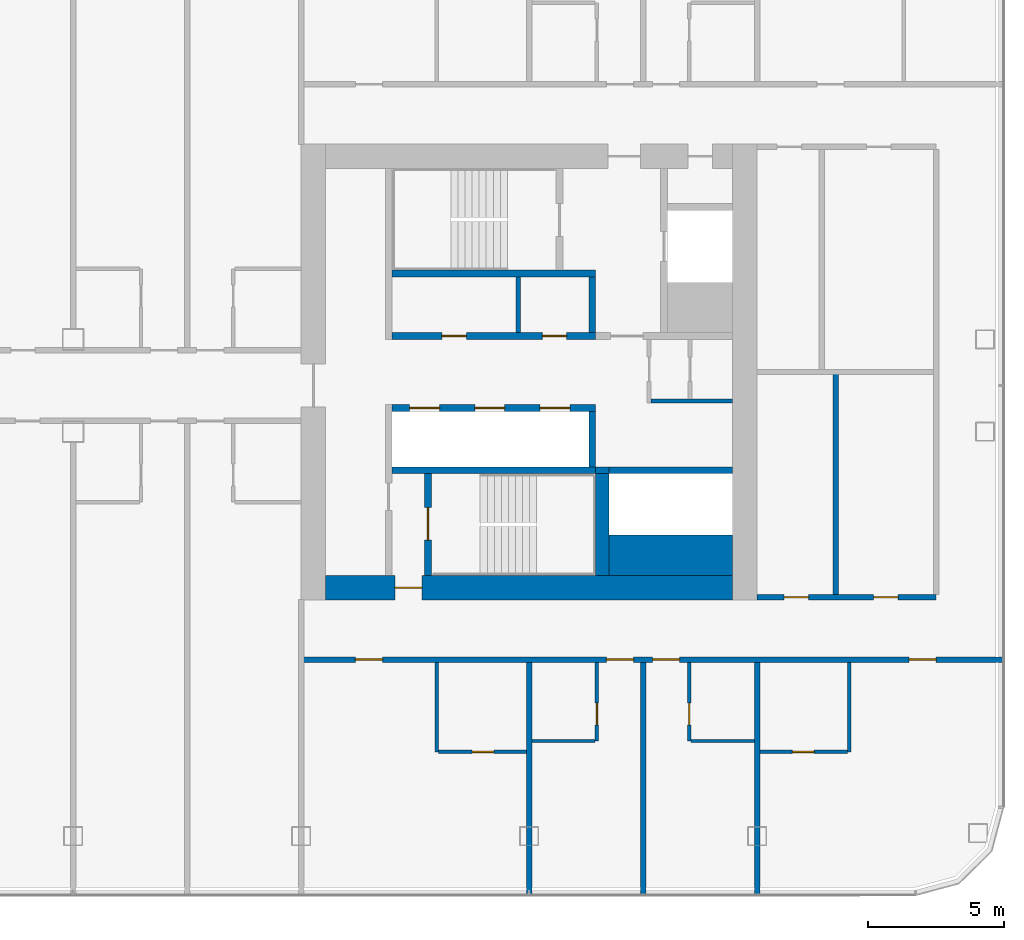
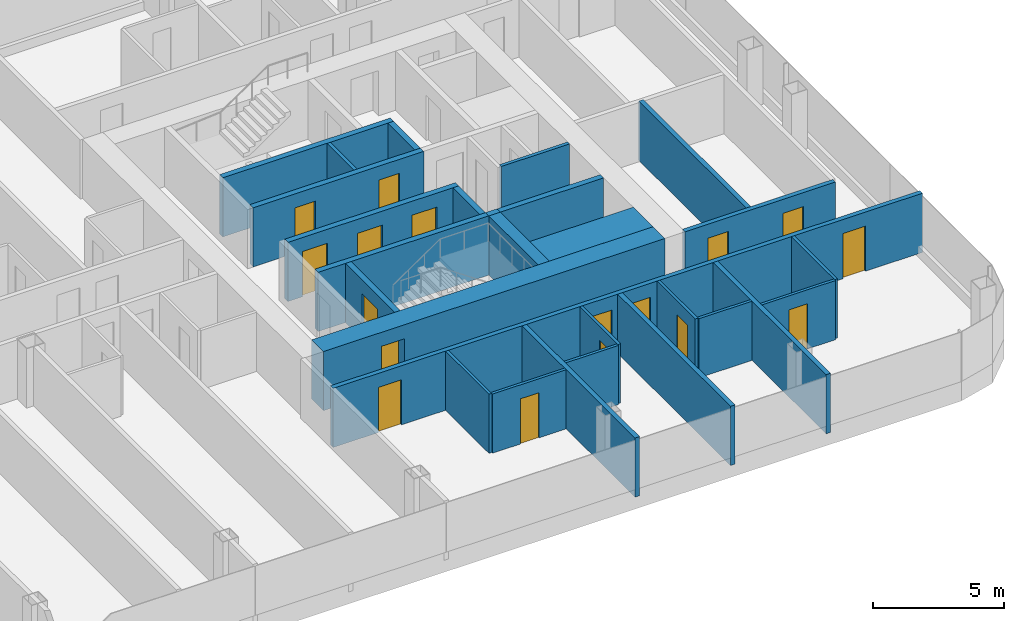
# One storey, part 16 of 26: 28 walls, 17 doors, 17 openings.
"""IFC4 building model written with IfcOpenShell, lengths in metres."""

from ifc_helpers import new_model, si_unit, direction, frame, frame_2d, origin, place, context, subcontext, project, spatial, rectangle, extrude, material, layer, layer_set, type_object, element, fill, save


model = new_model("IFC4")

# Units and contexts
model_context = context("Model", 3, precision=1e-05, world=origin(), true_north=direction((0.0, 1.0)))
body_context = subcontext(model_context, "Body", "Model", "MODEL_VIEW")
ifc_project = project(units=[si_unit("LENGTHUNIT", "METRE"), si_unit("AREAUNIT", "SQUARE_METRE"), si_unit("VOLUMEUNIT", "CUBIC_METRE"), si_unit("PLANEANGLEUNIT", "RADIAN"), si_unit("MASSUNIT", "GRAM", prefix="KILO")], contexts=[model_context])

# Site, building, storey
site_placement = place(None, origin())
site = spatial("IfcSite", under=ifc_project, at=site_placement, CompositionType="ELEMENT")
building_placement = place(site_placement, origin())
building = spatial("IfcBuilding", under=site, at=building_placement, Name="Hakoniwa Tower and Hamabe Station Hall", CompositionType="ELEMENT")
storey_placement = place(building_placement, frame((0.0, 0.0, 153.39990234375)))
storey = spatial("IfcBuildingStorey", under=building, at=storey_placement, Name="L43", CompositionType="ELEMENT", Elevation=153.39990234375)

# Wall, opening, door
ifc_material_1 = material(Name="Gypsum board partition", Category="gypsum")
ifc_layer_1 = layer(ifc_material_1, 0.125)
ifc_layer_set_1 = layer_set([ifc_layer_1], Name="Bathroom Partition 125")
wall_type_1 = type_object("IfcWallType", Name="Bathroom Partition 125", PredefinedType="PARTITIONING", material=ifc_layer_set_1)
wall_1_placement = place(storey_placement, frame((21.862548828125, -14.0, 0.0), z_axis=(0.0, 0.0, 1.0), x_axis=(1.0, 0.0, 0.0)))
wall_1 = element("IfcWall", 1, at=wall_1_placement, inside=storey, type_object=wall_type_1, Name="GW-L43-001", PredefinedType="PARTITIONING", context=body_context, shape_type="SweptSolid", body=[
    extrude(rectangle(XDim=3.237548828125, YDim=0.125, at=frame_2d((1.61865234375, 0.0))), origin(), (0.0, 0.0, 1.0), 2.75),
])
opening_1_placement = place(wall_1_placement, frame((1.237548828125, 0.0, 0.0)))
opening_1 = element("IfcOpeningElement", 2, at=opening_1_placement, cuts=wall_1, Name="Opening GD-G3C1-01", PredefinedType="OPENING", context=body_context, shape_type="SweptSolid", body=[
    extrude(rectangle(XDim=0.800048828125, YDim=2.10009765625, at=frame_2d((0.39990234375, 1.050048828125))), frame((0.0, 0.072509765625, 0.0), z_axis=(0.0, -1.0, 0.0), x_axis=(1.0, 0.0, 0.0)), (0.0, 0.0, 1.0), 0.14501953125),
])
ifc_material_2 = material(Name="Timber door leaf", Category="wood")
door_type_1 = type_object("IfcDoorType", Name="Bathroom Door 800", OperationType="SINGLE_SWING_LEFT", PredefinedType="DOOR", material=ifc_material_2)
door_1_placement = place(opening_1_placement, origin())
door_1 = element("IfcDoor", 3, at=door_1_placement, inside=storey, type_object=door_type_1, Name="Door GD-G3C1-01", OperationType="SINGLE_SWING_RIGHT", OverallHeight=2.10009765625, OverallWidth=0.800048828125, PredefinedType="DOOR", context=body_context, shape_type="SweptSolid", body=[
    extrude(rectangle(XDim=0.800048828125, YDim=2.10009765625, at=frame_2d((0.39990234375, 1.050048828125))), frame((0.0, 0.02490234375, 0.0), z_axis=(0.0, -1.0, 0.0), x_axis=(1.0, 0.0, 0.0)), (0.0, 0.0, 1.0), 0.050048828125),
])
fill(opening_1, door_1)

wall_2_placement = place(storey_placement, frame((33.699951171875, -14.0, 0.0), z_axis=(0.0, 0.0, 1.0), x_axis=(1.0, 0.0, 0.0)))
wall_2 = element("IfcWall", 4, at=wall_2_placement, inside=storey, type_object=wall_type_1, Name="GW-L43-002", PredefinedType="PARTITIONING", context=body_context, shape_type="SweptSolid", body=[
    extrude(rectangle(XDim=3.237548828125, YDim=0.125, at=frame_2d((1.61865234375, 0.0))), origin(), (0.0, 0.0, 1.0), 2.75),
])
opening_2_placement = place(wall_2_placement, frame((1.199951171875, 0.0, 0.0)))
opening_2 = element("IfcOpeningElement", 5, at=opening_2_placement, cuts=wall_2, Name="Opening GD-G3C1-02", PredefinedType="OPENING", context=body_context, shape_type="SweptSolid", body=[
    extrude(rectangle(XDim=0.800048828125, YDim=2.10009765625, at=frame_2d((0.39990234375, 1.050048828125))), frame((0.0, 0.072509765625, 0.0), z_axis=(0.0, -1.0, 0.0), x_axis=(1.0, 0.0, 0.0)), (0.0, 0.0, 1.0), 0.14501953125),
])
door_2_placement = place(opening_2_placement, origin())
door_2 = element("IfcDoor", 6, at=door_2_placement, inside=storey, type_object=door_type_1, Name="Door GD-G3C1-02", OperationType="SINGLE_SWING_LEFT", OverallHeight=2.10009765625, OverallWidth=0.800048828125, PredefinedType="DOOR", context=body_context, shape_type="SweptSolid", body=[
    extrude(rectangle(XDim=0.800048828125, YDim=2.10009765625, at=frame_2d((0.39990234375, 1.050048828125))), frame((0.0, 0.02490234375, 0.0), z_axis=(0.0, -1.0, 0.0), x_axis=(1.0, 0.0, 0.0)), (0.0, 0.0, 1.0), 0.050048828125),
])
fill(opening_2, door_2)

# Walls
for number, where, z_axis, x_axis, name in (
    (7, (25.300048828125, -13.60009765625, 0.0), (0.0, 0.0, 1.0), (1.0, 0.0, 0.0), "GW-L43-003"),
    (8, (31.16259765625, -13.60009765625, 0.0), (0.0, 0.0, 1.0), (1.0, 0.0, 0.0), "GW-L43-004"),
):
    element("IfcWall", number, at=place(storey_placement, frame(where, z_axis=z_axis, x_axis=x_axis)), inside=storey, type_object=wall_type_1, Name=name, PredefinedType="PARTITIONING", context=body_context, shape_type="SweptSolid", body=[
        extrude(rectangle(XDim=2.33740234375, YDim=0.125, at=frame_2d((1.168701171875, 0.0))), origin(), (0.0, 0.0, 1.0), 2.75),
    ])
wall_3_placement = place(storey_placement, frame((21.800048828125, -14.0, 0.0), z_axis=(0.0, 0.0, 1.0), x_axis=(0.0, 1.0, 0.0)))
element("IfcWall", 9, at=wall_3_placement, inside=storey, type_object=wall_type_1, Name="GW-L43-078", PredefinedType="PARTITIONING", context=body_context, shape_type="SweptSolid", body=[
    extrude(rectangle(XDim=3.300048828125, YDim=0.125, at=frame_2d((1.64990234375, 0.0))), origin(), (0.0, 0.0, 1.0), 2.75),
])

# Wall, opening, door
wall_4_placement = place(storey_placement, frame((27.699951171875, -13.60009765625, 0.0), z_axis=(0.0, 0.0, 1.0), x_axis=(0.0, 1.0, 0.0)))
wall_4 = element("IfcWall", 10, at=wall_4_placement, inside=storey, type_object=wall_type_1, Name="GW-L43-082", PredefinedType="PARTITIONING", context=body_context, shape_type="SweptSolid", body=[
    extrude(rectangle(XDim=2.900146484375, YDim=0.125, at=frame_2d((1.4501953125, 0.0))), origin(), (0.0, 0.0, 1.0), 2.75),
])
opening_3_placement = place(wall_4_placement, frame((0.60009765625, 0.0, 0.0)))
opening_3 = element("IfcOpeningElement", 11, at=opening_3_placement, cuts=wall_4, Name="Opening GD-G3C1-60", PredefinedType="OPENING", context=body_context, shape_type="SweptSolid", body=[
    extrude(rectangle(XDim=0.800048828125, YDim=2.10009765625, at=frame_2d((0.39990234375, 1.050048828125))), frame((0.0, 0.072509765625, 0.0), z_axis=(0.0, -1.0, 0.0), x_axis=(1.0, 0.0, 0.0)), (0.0, 0.0, 1.0), 0.14501953125),
])
door_3_placement = place(opening_3_placement, origin())
door_3 = element("IfcDoor", 12, at=door_3_placement, inside=storey, type_object=door_type_1, Name="Door GD-G3C1-60", OperationType="SINGLE_SWING_RIGHT", OverallHeight=2.10009765625, OverallWidth=0.800048828125, PredefinedType="DOOR", context=body_context, shape_type="SweptSolid", body=[
    extrude(rectangle(XDim=0.800048828125, YDim=2.10009765625, at=frame_2d((0.39990234375, 1.050048828125))), frame((0.0, 0.02490234375, 0.0), z_axis=(0.0, -1.0, 0.0), x_axis=(1.0, 0.0, 0.0)), (0.0, 0.0, 1.0), 0.050048828125),
])
fill(opening_3, door_3)

wall_5_placement = place(storey_placement, frame((31.10009765625, -13.60009765625, 0.0), z_axis=(0.0, 0.0, 1.0), x_axis=(0.0, 1.0, 0.0)))
wall_5 = element("IfcWall", 13, at=wall_5_placement, inside=storey, type_object=wall_type_1, Name="GW-L43-086", PredefinedType="PARTITIONING", context=body_context, shape_type="SweptSolid", body=[
    extrude(rectangle(XDim=2.900146484375, YDim=0.125, at=frame_2d((1.4501953125, 0.0))), origin(), (0.0, 0.0, 1.0), 2.75),
])
opening_4_placement = place(wall_5_placement, frame((0.60009765625, 0.0, 0.0)))
opening_4 = element("IfcOpeningElement", 14, at=opening_4_placement, cuts=wall_5, Name="Opening GD-G3C1-62", PredefinedType="OPENING", context=body_context, shape_type="SweptSolid", body=[
    extrude(rectangle(XDim=0.800048828125, YDim=2.10009765625, at=frame_2d((0.39990234375, 1.050048828125))), frame((0.0, 0.072509765625, 0.0), z_axis=(0.0, -1.0, 0.0), x_axis=(1.0, 0.0, 0.0)), (0.0, 0.0, 1.0), 0.14501953125),
])
door_4_placement = place(opening_4_placement, origin())
door_4 = element("IfcDoor", 15, at=door_4_placement, inside=storey, type_object=door_type_1, Name="Door GD-G3C1-62", OperationType="SINGLE_SWING_LEFT", OverallHeight=2.10009765625, OverallWidth=0.800048828125, PredefinedType="DOOR", context=body_context, shape_type="SweptSolid", body=[
    extrude(rectangle(XDim=0.800048828125, YDim=2.10009765625, at=frame_2d((0.39990234375, 1.050048828125))), frame((0.0, 0.02490234375, 0.0), z_axis=(0.0, -1.0, 0.0), x_axis=(1.0, 0.0, 0.0)), (0.0, 0.0, 1.0), 0.050048828125),
])
fill(opening_4, door_4)

# Walls
wall_6_placement = place(storey_placement, frame((37.0, -14.0, 0.0), z_axis=(0.0, 0.0, 1.0), x_axis=(0.0, 1.0, 0.0)))
element("IfcWall", 16, at=wall_6_placement, inside=storey, type_object=wall_type_1, Name="GW-L43-092", PredefinedType="PARTITIONING", context=body_context, shape_type="SweptSolid", body=[
    extrude(rectangle(XDim=3.300048828125, YDim=0.125, at=frame_2d((1.64990234375, 0.0))), origin(), (0.0, 0.0, 1.0), 2.75),
])
ifc_material_3 = material(Name="Gypsum board partition")
ifc_layer_2 = layer(ifc_material_3, 0.14990234375)
ifc_layer_set_2 = layer_set([ifc_layer_2], Name="CORE PARTITION 150 EI 60")
wall_type_2 = type_object("IfcWallType", Name="CORE PARTITION 150 EI 60", PredefinedType="PARTITIONING", material=ifc_layer_set_2)
wall_7_placement = place(storey_placement, frame((29.699951171875, -1.074951171875, 0.0), z_axis=(0.0, 0.0, 1.0), x_axis=(1.0, 0.0, 0.0)))
element("IfcWall", 17, at=wall_7_placement, inside=storey, type_object=wall_type_2, Name="Core partition PS east", PredefinedType="PARTITIONING", context=body_context, shape_type="SweptSolid", body=[
    extrude(rectangle(XDim=3.0, YDim=0.14990234375, at=frame_2d((1.5, 0.0))), origin(), (0.0, 0.0, 1.0), 2.75),
])
wall_8_placement = place(storey_placement, frame((24.800048828125, 1.449951171875, 0.0), z_axis=(0.0, 0.0, 1.0), x_axis=(0.0, 1.0, 0.0)))
element("IfcWall", 18, at=wall_8_placement, inside=storey, type_object=wall_type_2, Name="Core partition PFLR0 east", PredefinedType="PARTITIONING", context=body_context, shape_type="SweptSolid", body=[
    extrude(rectangle(XDim=2.050048828125, YDim=0.14990234375, at=frame_2d((1.02490234375, 0.0))), origin(), (0.0, 0.0, 1.0), 2.75),
])

# Wall, opening, door
ifc_material_4 = material(Name="Concrete C66", Category="concrete")
ifc_layer_3 = layer(ifc_material_4, 0.89990234375)
ifc_layer_set_3 = layer_set([ifc_layer_3], Name="CORE WALL 900 C66")
wall_type_3 = type_object("IfcWallType", Name="CORE WALL 900 C66", PredefinedType="SHEAR", material=ifc_layer_set_3)
wall_9_placement = place(storey_placement, frame((17.699951171875, -7.949951171875, 0.0), z_axis=(0.0, 0.0, 1.0), x_axis=(1.0, 0.0, 0.0)))
wall_9 = element("IfcWall", 19, at=wall_9_placement, inside=storey, type_object=wall_type_3, Name="Core wall SOUTH east", PredefinedType="SHEAR", context=body_context, shape_type="SweptSolid", body=[
    extrude(rectangle(XDim=15.0, YDim=0.89990234375, at=frame_2d((7.5, 0.0))), origin(), (0.0, 0.0, 1.0), 2.75),
])
opening_5_placement = place(wall_9_placement, frame((2.550048828125, 0.0, 0.0)))
opening_5 = element("IfcOpeningElement", 20, at=opening_5_placement, cuts=wall_9, Name="Opening CD-E-FS3-10", PredefinedType="OPENING", context=body_context, shape_type="SweptSolid", body=[
    extrude(rectangle(XDim=1.0, YDim=2.10009765625, at=frame_2d((0.5, 1.050048828125))), frame((0.0, 0.4599609375, 0.0), z_axis=(0.0, -1.0, 0.0), x_axis=(1.0, 0.0, 0.0)), (0.0, 0.0, 1.0), 0.919921875),
])
ifc_material_5 = material(Name="Steel fire door", Category="steel")
door_type_2 = type_object("IfcDoorType", Name="CORE DOOR 1000 FD60", OperationType="NOTDEFINED", PredefinedType="DOOR", material=ifc_material_5)
door_5_placement = place(opening_5_placement, origin())
door_5 = element("IfcDoor", 21, at=door_5_placement, inside=storey, type_object=door_type_2, Name="Stair vestibule door", OperationType="SINGLE_SWING_LEFT", OverallHeight=2.10009765625, OverallWidth=1.0, PredefinedType="DOOR", context=body_context, shape_type="SweptSolid", body=[
    extrude(rectangle(XDim=1.0, YDim=2.10009765625, at=frame_2d((0.5, 1.050048828125))), frame((0.0, 0.02490234375, 0.0), z_axis=(0.0, -1.0, 0.0), x_axis=(1.0, 0.0, 0.0)), (0.0, 0.0, 1.0), 0.050048828125),
])
fill(opening_5, door_5)

# Wall
ifc_material_6 = material(Name="Concrete C66", Category="concrete")
ifc_layer_4 = layer(ifc_material_6, 1.5)
ifc_layer_set_4 = layer_set([ifc_layer_4], Name="CORE WEB WALL 1500 C66")
wall_type_4 = type_object("IfcWallType", Name="CORE WEB WALL 1500 C66", PredefinedType="SHEAR", material=ifc_layer_set_4)
wall_10_placement = place(storey_placement, frame((28.14990234375, -6.75, 0.0), z_axis=(0.0, 0.0, 1.0), x_axis=(1.0, 0.0, 0.0)))
element("IfcWall", 22, at=wall_10_placement, inside=storey, type_object=wall_type_4, Name="Core wall SER east", PredefinedType="SHEAR", context=body_context, shape_type="SweptSolid", body=[
    extrude(rectangle(XDim=4.550048828125, YDim=1.5, at=frame_2d((2.27490234375, 0.0))), origin(), (0.0, 0.0, 1.0), 2.75),
])

# Wall, openings, doors
ifc_material_7 = material(Name="Concrete C66", Category="concrete")
ifc_layer_5 = layer(ifc_material_7, 0.25)
ifc_layer_set_5 = layer_set([ifc_layer_5], Name="CORE WEB WALL 250 C66")
wall_type_5 = type_object("IfcWallType", Name="CORE WEB WALL 250 C66", PredefinedType="SHEAR", material=ifc_layer_set_5)
wall_11_placement = place(storey_placement, frame((20.14990234375, 1.324951171875, 0.0), z_axis=(0.0, 0.0, 1.0), x_axis=(1.0, 0.0, 0.0)))
wall_11 = element("IfcWall", 23, at=wall_11_placement, inside=storey, type_object=wall_type_5, Name="Core wall NF east", PredefinedType="SHEAR", context=body_context, shape_type="SweptSolid", body=[
    extrude(rectangle(XDim=7.5, YDim=0.25, at=frame_2d((3.75, 0.0))), origin(), (0.0, 0.0, 1.0), 2.75),
])
opening_6_placement = place(wall_11_placement, frame((1.83740234375, 0.0, 0.0)))
opening_6 = element("IfcOpeningElement", 24, at=opening_6_placement, cuts=wall_11, Name="Opening CD-E-FRLR0-9", PredefinedType="OPENING", context=body_context, shape_type="SweptSolid", body=[
    extrude(rectangle(XDim=0.89990234375, YDim=2.10009765625, at=frame_2d((0.449951171875, 1.050048828125))), frame((0.0, 0.135009765625, 0.0), z_axis=(0.0, -1.0, 0.0), x_axis=(1.0, 0.0, 0.0)), (0.0, 0.0, 1.0), 0.27001953125),
])
opening_7_placement = place(wall_11_placement, frame((5.53759765625, 0.0, 0.0)))
opening_7 = element("IfcOpeningElement", 25, at=opening_7_placement, cuts=wall_11, Name="Opening CD-E-FRLR1-9", PredefinedType="OPENING", context=body_context, shape_type="SweptSolid", body=[
    extrude(rectangle(XDim=0.89990234375, YDim=2.10009765625, at=frame_2d((0.449951171875, 1.050048828125))), frame((0.0, 0.135009765625, 0.0), z_axis=(0.0, -1.0, 0.0), x_axis=(1.0, 0.0, 0.0)), (0.0, 0.0, 1.0), 0.27001953125),
])
ifc_material_8 = material(Name="Steel fire door", Category="steel")
door_type_3 = type_object("IfcDoorType", Name="CORE DOOR 900 FD30", OperationType="NOTDEFINED", PredefinedType="DOOR", material=ifc_material_8)
door_6_placement = place(opening_6_placement, origin())
door_6 = element("IfcDoor", 26, at=door_6_placement, inside=storey, type_object=door_type_3, Name="Store room door", OperationType="SINGLE_SWING_LEFT", OverallHeight=2.10009765625, OverallWidth=0.89990234375, PredefinedType="DOOR", context=body_context, shape_type="SweptSolid", body=[
    extrude(rectangle(XDim=0.89990234375, YDim=2.10009765625, at=frame_2d((0.449951171875, 1.050048828125))), frame((0.0, 0.02490234375, 0.0), z_axis=(0.0, -1.0, 0.0), x_axis=(1.0, 0.0, 0.0)), (0.0, 0.0, 1.0), 0.050048828125),
])
fill(opening_6, door_6)
door_7_placement = place(opening_7_placement, origin())
door_7 = element("IfcDoor", 27, at=door_7_placement, inside=storey, type_object=door_type_3, Name="Store room door", OperationType="SINGLE_SWING_RIGHT", OverallHeight=2.10009765625, OverallWidth=0.89990234375, PredefinedType="DOOR", context=body_context, shape_type="SweptSolid", body=[
    extrude(rectangle(XDim=0.89990234375, YDim=2.10009765625, at=frame_2d((0.449951171875, 1.050048828125))), frame((0.0, 0.02490234375, 0.0), z_axis=(0.0, -1.0, 0.0), x_axis=(1.0, 0.0, 0.0)), (0.0, 0.0, 1.0), 0.050048828125),
])
fill(opening_7, door_7)

# Walls
wall_12_placement = place(storey_placement, frame((27.52490234375, 1.449951171875, 0.0), z_axis=(0.0, 0.0, 1.0), x_axis=(0.0, 1.0, 0.0)))
element("IfcWall", 28, at=wall_12_placement, inside=storey, type_object=wall_type_5, Name="Core wall NE east", PredefinedType="SHEAR", context=body_context, shape_type="SweptSolid", body=[
    extrude(rectangle(XDim=2.050048828125, YDim=0.25, at=frame_2d((1.02490234375, 0.0))), origin(), (0.0, 0.0, 1.0), 2.75),
])
wall_13_placement = place(storey_placement, frame((20.14990234375, 3.625, 0.0), z_axis=(0.0, 0.0, 1.0), x_axis=(1.0, 0.0, 0.0)))
element("IfcWall", 29, at=wall_13_placement, inside=storey, type_object=wall_type_5, Name="Core wall NR east", PredefinedType="SHEAR", context=body_context, shape_type="SweptSolid", body=[
    extrude(rectangle(XDim=7.5, YDim=0.25, at=frame_2d((3.75, 0.0))), origin(), (0.0, 0.0, 1.0), 2.75),
])

# Wall, openings, doors
wall_14_placement = place(storey_placement, frame((20.14990234375, -1.324951171875, 0.0), z_axis=(0.0, 0.0, 1.0), x_axis=(1.0, 0.0, 0.0)))
wall_14 = element("IfcWall", 30, at=wall_14_placement, inside=storey, type_object=wall_type_5, Name="Core wall SF east", PredefinedType="SHEAR", context=body_context, shape_type="SweptSolid", body=[
    extrude(rectangle(XDim=7.5, YDim=0.25, at=frame_2d((3.75, 0.0))), origin(), (0.0, 0.0, 1.0), 2.75),
])
opening_8_placement = place(wall_14_placement, frame((0.64990234375, 0.0, 0.0)))
opening_8 = element("IfcOpeningElement", 31, at=opening_8_placement, cuts=wall_14, Name="Opening LD-HR4", PredefinedType="OPENING", context=body_context, shape_type="SweptSolid", body=[
    extrude(rectangle(XDim=1.10009765625, YDim=2.10009765625, at=frame_2d((0.550048828125, 1.050048828125))), frame((0.0, 0.135009765625, 0.0), z_axis=(0.0, -1.0, 0.0), x_axis=(1.0, 0.0, 0.0)), (0.0, 0.0, 1.0), 0.27001953125),
])
opening_9_placement = place(wall_14_placement, frame((3.050048828125, 0.0, 0.0)))
opening_9 = element("IfcOpeningElement", 32, at=opening_9_placement, cuts=wall_14, Name="Opening LD-HR5", PredefinedType="OPENING", context=body_context, shape_type="SweptSolid", body=[
    extrude(rectangle(XDim=1.10009765625, YDim=2.10009765625, at=frame_2d((0.550048828125, 1.050048828125))), frame((0.0, 0.135009765625, 0.0), z_axis=(0.0, -1.0, 0.0), x_axis=(1.0, 0.0, 0.0)), (0.0, 0.0, 1.0), 0.27001953125),
])
opening_10_placement = place(wall_14_placement, frame((5.449951171875, 0.0, 0.0)))
opening_10 = element("IfcOpeningElement", 33, at=opening_10_placement, cuts=wall_14, Name="Opening LD-HR6", PredefinedType="OPENING", context=body_context, shape_type="SweptSolid", body=[
    extrude(rectangle(XDim=1.10009765625, YDim=2.10009765625, at=frame_2d((0.550048828125, 1.050048828125))), frame((0.0, 0.135009765625, 0.0), z_axis=(0.0, -1.0, 0.0), x_axis=(1.0, 0.0, 0.0)), (0.0, 0.0, 1.0), 0.27001953125),
])
ifc_material_9 = material(Name="Stainless steel SUS304", Category="steel")
door_type_4 = type_object("IfcDoorType", Name="LIFT LANDING DOOR 1100 FD60", OperationType="DOUBLE_DOOR_SLIDING", PredefinedType="DOOR", material=ifc_material_9)
door_8_placement = place(opening_8_placement, origin())
door_8 = element("IfcDoor", 34, at=door_8_placement, inside=storey, type_object=door_type_4, Name="Lift landing door HR4 L43", OperationType="DOUBLE_DOOR_SLIDING", OverallHeight=2.10009765625, OverallWidth=1.10009765625, PredefinedType="DOOR", context=body_context, shape_type="SweptSolid", body=[
    extrude(rectangle(XDim=1.10009765625, YDim=2.10009765625, at=frame_2d((0.550048828125, 1.050048828125))), frame((0.0, 0.02490234375, 0.0), z_axis=(0.0, -1.0, 0.0), x_axis=(1.0, 0.0, 0.0)), (0.0, 0.0, 1.0), 0.050048828125),
])
fill(opening_8, door_8)
door_9_placement = place(opening_9_placement, origin())
door_9 = element("IfcDoor", 35, at=door_9_placement, inside=storey, type_object=door_type_4, Name="Lift landing door HR5 L43", OperationType="DOUBLE_DOOR_SLIDING", OverallHeight=2.10009765625, OverallWidth=1.10009765625, PredefinedType="DOOR", context=body_context, shape_type="SweptSolid", body=[
    extrude(rectangle(XDim=1.10009765625, YDim=2.10009765625, at=frame_2d((0.550048828125, 1.050048828125))), frame((0.0, 0.02490234375, 0.0), z_axis=(0.0, -1.0, 0.0), x_axis=(1.0, 0.0, 0.0)), (0.0, 0.0, 1.0), 0.050048828125),
])
fill(opening_9, door_9)
door_10_placement = place(opening_10_placement, origin())
door_10 = element("IfcDoor", 36, at=door_10_placement, inside=storey, type_object=door_type_4, Name="Lift landing door HR6 L43", OperationType="DOUBLE_DOOR_SLIDING", OverallHeight=2.10009765625, OverallWidth=1.10009765625, PredefinedType="DOOR", context=body_context, shape_type="SweptSolid", body=[
    extrude(rectangle(XDim=1.10009765625, YDim=2.10009765625, at=frame_2d((0.550048828125, 1.050048828125))), frame((0.0, 0.02490234375, 0.0), z_axis=(0.0, -1.0, 0.0), x_axis=(1.0, 0.0, 0.0)), (0.0, 0.0, 1.0), 0.050048828125),
])
fill(opening_10, door_10)

# Walls
wall_15_placement = place(storey_placement, frame((27.52490234375, -3.5, 0.0), z_axis=(0.0, 0.0, 1.0), x_axis=(0.0, 1.0, 0.0)))
element("IfcWall", 37, at=wall_15_placement, inside=storey, type_object=wall_type_5, Name="Core wall SE east", PredefinedType="SHEAR", context=body_context, shape_type="SweptSolid", body=[
    extrude(rectangle(XDim=2.050048828125, YDim=0.25, at=frame_2d((1.02490234375, 0.0))), origin(), (0.0, 0.0, 1.0), 2.75),
])
wall_16_placement = place(storey_placement, frame((20.14990234375, -3.625, 0.0), z_axis=(0.0, 0.0, 1.0), x_axis=(1.0, 0.0, 0.0)))
element("IfcWall", 38, at=wall_16_placement, inside=storey, type_object=wall_type_5, Name="Core wall SR east", PredefinedType="SHEAR", context=body_context, shape_type="SweptSolid", body=[
    extrude(rectangle(XDim=7.5, YDim=0.25, at=frame_2d((3.75, 0.0))), origin(), (0.0, 0.0, 1.0), 2.75),
])

# Wall, opening, door
wall_17_placement = place(storey_placement, frame((21.47509765625, -7.5, 0.0), z_axis=(0.0, 0.0, 1.0), x_axis=(0.0, 1.0, 0.0)))
wall_17 = element("IfcWall", 39, at=wall_17_placement, inside=storey, type_object=wall_type_5, Name="Core wall VE east", PredefinedType="SHEAR", context=body_context, shape_type="SweptSolid", body=[
    extrude(rectangle(XDim=3.75, YDim=0.25, at=frame_2d((1.875, 0.0))), origin(), (0.0, 0.0, 1.0), 2.75),
])
opening_11_placement = place(wall_17_placement, frame((1.300048828125, 0.0, 0.0)))
opening_11 = element("IfcOpeningElement", 40, at=opening_11_placement, cuts=wall_17, Name="Opening CD-E-SS-12", PredefinedType="OPENING", context=body_context, shape_type="SweptSolid", body=[
    extrude(rectangle(XDim=1.199951171875, YDim=2.10009765625, at=frame_2d((0.60009765625, 1.050048828125))), frame((0.0, 0.135009765625, 0.0), z_axis=(0.0, -1.0, 0.0), x_axis=(1.0, 0.0, 0.0)), (0.0, 0.0, 1.0), 0.27001953125),
])
ifc_material_10 = material(Name="Steel fire door", Category="steel")
door_type_5 = type_object("IfcDoorType", Name="CORE DOOR 1200 FD60", OperationType="DOUBLE_DOOR_SINGLE_SWING", PredefinedType="DOOR", material=ifc_material_10)
door_11_placement = place(opening_11_placement, origin())
door_11 = element("IfcDoor", 41, at=door_11_placement, inside=storey, type_object=door_type_5, Name="Escape stair door", OperationType="DOUBLE_DOOR_SINGLE_SWING", OverallHeight=2.10009765625, OverallWidth=1.199951171875, PredefinedType="DOOR", context=body_context, shape_type="SweptSolid", body=[
    extrude(rectangle(XDim=1.199951171875, YDim=2.10009765625, at=frame_2d((0.60009765625, 1.050048828125))), frame((0.0, 0.02490234375, 0.0), z_axis=(0.0, -1.0, 0.0), x_axis=(1.0, 0.0, 0.0)), (0.0, 0.0, 1.0), 0.050048828125),
])
fill(opening_11, door_11)

# Walls
wall_18_placement = place(storey_placement, frame((28.14990234375, -3.625, 0.0), z_axis=(0.0, 0.0, 1.0), x_axis=(1.0, 0.0, 0.0)))
element("IfcWall", 42, at=wall_18_placement, inside=storey, type_object=wall_type_5, Name="Core wall SEF east", PredefinedType="SHEAR", context=body_context, shape_type="SweptSolid", body=[
    extrude(rectangle(XDim=4.550048828125, YDim=0.25, at=frame_2d((2.27490234375, 0.0))), origin(), (0.0, 0.0, 1.0), 2.75),
])
wall_19_placement = place(storey_placement, frame((27.64990234375, -3.625, 0.0), z_axis=(0.0, 0.0, 1.0), x_axis=(1.0, 0.0, 0.0)))
element("IfcWall", 43, at=wall_19_placement, inside=storey, type_object=wall_type_5, Name="Core wall SRK east", PredefinedType="SHEAR", context=body_context, shape_type="SweptSolid", body=[
    extrude(rectangle(XDim=0.5, YDim=0.25, at=frame_2d((0.25, 0.0))), origin(), (0.0, 0.0, 1.0), 2.75),
])
ifc_material_11 = material(Name="Concrete C66", Category="concrete")
ifc_layer_6 = layer(ifc_material_11, 0.5)
ifc_layer_set_6 = layer_set([ifc_layer_6], Name="CORE WEB WALL 500 C66")
wall_type_6 = type_object("IfcWallType", Name="CORE WEB WALL 500 C66", PredefinedType="SHEAR", material=ifc_layer_set_6)
wall_20_placement = place(storey_placement, frame((27.89990234375, -7.5, 0.0), z_axis=(0.0, 0.0, 1.0), x_axis=(0.0, 1.0, 0.0)))
element("IfcWall", 44, at=wall_20_placement, inside=storey, type_object=wall_type_6, Name="Core wall SSE east", PredefinedType="SHEAR", context=body_context, shape_type="SweptSolid", body=[
    extrude(rectangle(XDim=3.75, YDim=0.5, at=frame_2d((1.875, 0.0))), origin(), (0.0, 0.0, 1.0), 2.75),
])

# Wall, openings, doors
ifc_material_12 = material(Name="Fire-rated gypsum board partition", Category="gypsum")
ifc_layer_7 = layer(ifc_material_12, 0.199951171875)
ifc_layer_set_7 = layer_set([ifc_layer_7], Name="Corridor Wall 200")
wall_type_7 = type_object("IfcWallType", Name="Corridor Wall 200", PredefinedType="PARTITIONING", material=ifc_layer_set_7)
wall_21_placement = place(storey_placement, frame((16.800048828125, -10.60009765625, 0.0), z_axis=(0.0, 0.0, 1.0), x_axis=(1.0, 0.0, 0.0)))
wall_21 = element("IfcWall", 45, at=wall_21_placement, inside=storey, type_object=wall_type_7, Name="GW-L43-006", PredefinedType="PARTITIONING", context=body_context, shape_type="SweptSolid", body=[
    extrude(rectangle(XDim=25.89990234375, YDim=0.199951171875, at=frame_2d((12.949951171875, 0.0))), origin(), (0.0, 0.0, 1.0), 2.75),
])
opening_12_placement = place(wall_21_placement, frame((2.0, 0.0, 0.0)))
opening_12 = element("IfcOpeningElement", 46, at=opening_12_placement, cuts=wall_21, Name="Opening GD-G3C1-08", PredefinedType="OPENING", context=body_context, shape_type="SweptSolid", body=[
    extrude(rectangle(XDim=1.0, YDim=2.10009765625, at=frame_2d((0.5, 1.050048828125))), frame((0.0, 0.10986328125, 0.0), z_axis=(0.0, -1.0, 0.0), x_axis=(1.0, 0.0, 0.0)), (0.0, 0.0, 1.0), 0.219970703125),
])
opening_13_placement = place(wall_21_placement, frame((11.25, 0.0, 0.0)))
opening_13 = element("IfcOpeningElement", 47, at=opening_13_placement, cuts=wall_21, Name="Opening GD-G3C1-09", PredefinedType="OPENING", context=body_context, shape_type="SweptSolid", body=[
    extrude(rectangle(XDim=1.0, YDim=2.10009765625, at=frame_2d((0.5, 1.050048828125))), frame((0.0, 0.10986328125, 0.0), z_axis=(0.0, -1.0, 0.0), x_axis=(1.0, 0.0, 0.0)), (0.0, 0.0, 1.0), 0.219970703125),
])
opening_14_placement = place(wall_21_placement, frame((12.949951171875, 0.0, 0.0)))
opening_14 = element("IfcOpeningElement", 48, at=opening_14_placement, cuts=wall_21, Name="Opening GD-G3C1-10", PredefinedType="OPENING", context=body_context, shape_type="SweptSolid", body=[
    extrude(rectangle(XDim=1.0, YDim=2.10009765625, at=frame_2d((0.5, 1.050048828125))), frame((0.0, 0.10986328125, 0.0), z_axis=(0.0, -1.0, 0.0), x_axis=(1.0, 0.0, 0.0)), (0.0, 0.0, 1.0), 0.219970703125),
])
opening_15_placement = place(wall_21_placement, frame((22.39990234375, 0.0, 0.0)))
opening_15 = element("IfcOpeningElement", 49, at=opening_15_placement, cuts=wall_21, Name="Opening GD-G3C1-11", PredefinedType="OPENING", context=body_context, shape_type="SweptSolid", body=[
    extrude(rectangle(XDim=1.0, YDim=2.10009765625, at=frame_2d((0.5, 1.050048828125))), frame((0.0, 0.10986328125, 0.0), z_axis=(0.0, -1.0, 0.0), x_axis=(1.0, 0.0, 0.0)), (0.0, 0.0, 1.0), 0.219970703125),
])
ifc_material_13 = material(Name="Timber door leaf", Category="wood")
door_type_6 = type_object("IfcDoorType", Name="Guest Entrance Door 1000", OperationType="SINGLE_SWING_LEFT", PredefinedType="DOOR", material=ifc_material_13)
door_12_placement = place(opening_12_placement, origin())
door_12 = element("IfcDoor", 50, at=door_12_placement, inside=storey, type_object=door_type_6, Name="Door GD-G3C1-08", OperationType="SINGLE_SWING_RIGHT", OverallHeight=2.10009765625, OverallWidth=1.0, PredefinedType="DOOR", context=body_context, shape_type="SweptSolid", body=[
    extrude(rectangle(XDim=1.0, YDim=2.10009765625, at=frame_2d((0.5, 1.050048828125))), frame((0.0, 0.02490234375, 0.0), z_axis=(0.0, -1.0, 0.0), x_axis=(1.0, 0.0, 0.0)), (0.0, 0.0, 1.0), 0.050048828125),
])
fill(opening_12, door_12)
door_13_placement = place(opening_13_placement, origin())
door_13 = element("IfcDoor", 51, at=door_13_placement, inside=storey, type_object=door_type_6, Name="Door GD-G3C1-09", OperationType="SINGLE_SWING_LEFT", OverallHeight=2.10009765625, OverallWidth=1.0, PredefinedType="DOOR", context=body_context, shape_type="SweptSolid", body=[
    extrude(rectangle(XDim=1.0, YDim=2.10009765625, at=frame_2d((0.5, 1.050048828125))), frame((0.0, 0.02490234375, 0.0), z_axis=(0.0, -1.0, 0.0), x_axis=(1.0, 0.0, 0.0)), (0.0, 0.0, 1.0), 0.050048828125),
])
fill(opening_13, door_13)
door_14_placement = place(opening_14_placement, origin())
door_14 = element("IfcDoor", 52, at=door_14_placement, inside=storey, type_object=door_type_6, Name="Door GD-G3C1-10", OperationType="SINGLE_SWING_LEFT", OverallHeight=2.10009765625, OverallWidth=1.0, PredefinedType="DOOR", context=body_context, shape_type="SweptSolid", body=[
    extrude(rectangle(XDim=1.0, YDim=2.10009765625, at=frame_2d((0.5, 1.050048828125))), frame((0.0, 0.02490234375, 0.0), z_axis=(0.0, -1.0, 0.0), x_axis=(1.0, 0.0, 0.0)), (0.0, 0.0, 1.0), 0.050048828125),
])
fill(opening_14, door_14)
door_15_placement = place(opening_15_placement, origin())
door_15 = element("IfcDoor", 53, at=door_15_placement, inside=storey, type_object=door_type_6, Name="Door GD-G3C1-11", OperationType="SINGLE_SWING_RIGHT", OverallHeight=2.10009765625, OverallWidth=1.0, PredefinedType="DOOR", context=body_context, shape_type="SweptSolid", body=[
    extrude(rectangle(XDim=1.0, YDim=2.10009765625, at=frame_2d((0.5, 1.050048828125))), frame((0.0, 0.02490234375, 0.0), z_axis=(0.0, -1.0, 0.0), x_axis=(1.0, 0.0, 0.0)), (0.0, 0.0, 1.0), 0.050048828125),
])
fill(opening_15, door_15)

wall_22_placement = place(storey_placement, frame((33.60009765625, -8.300048828125, 0.0), z_axis=(0.0, 0.0, 1.0), x_axis=(1.0, 0.0, 0.0)))
wall_22 = element("IfcWall", 54, at=wall_22_placement, inside=storey, type_object=wall_type_7, Name="GW-L43-008", PredefinedType="PARTITIONING", context=body_context, shape_type="SweptSolid", body=[
    extrude(rectangle(XDim=6.599853515625, YDim=0.199951171875, at=frame_2d((3.2998046875, 0.0))), origin(), (0.0, 0.0, 1.0), 2.75),
])
opening_16_placement = place(wall_22_placement, frame((1.0, 0.0, 0.0)))
opening_16 = element("IfcOpeningElement", 55, at=opening_16_placement, cuts=wall_22, Name="Opening GD-G3C1-14", PredefinedType="OPENING", context=body_context, shape_type="SweptSolid", body=[
    extrude(rectangle(XDim=0.89990234375, YDim=2.10009765625, at=frame_2d((0.449951171875, 1.050048828125))), frame((0.0, 0.10986328125, 0.0), z_axis=(0.0, -1.0, 0.0), x_axis=(1.0, 0.0, 0.0)), (0.0, 0.0, 1.0), 0.219970703125),
])
opening_17_placement = place(wall_22_placement, frame((4.300048828125, 0.0, 0.0)))
opening_17 = element("IfcOpeningElement", 56, at=opening_17_placement, cuts=wall_22, Name="Opening GD-G3C1-15", PredefinedType="OPENING", context=body_context, shape_type="SweptSolid", body=[
    extrude(rectangle(XDim=0.89990234375, YDim=2.10009765625, at=frame_2d((0.449951171875, 1.050048828125))), frame((0.0, 0.10986328125, 0.0), z_axis=(0.0, -1.0, 0.0), x_axis=(1.0, 0.0, 0.0)), (0.0, 0.0, 1.0), 0.219970703125),
])
ifc_material_14 = material(Name="Timber door leaf", Category="wood")
door_type_7 = type_object("IfcDoorType", Name="Service Door 900", OperationType="SINGLE_SWING_LEFT", PredefinedType="DOOR", material=ifc_material_14)
door_16_placement = place(opening_16_placement, origin())
door_16 = element("IfcDoor", 57, at=door_16_placement, inside=storey, type_object=door_type_7, Name="Door GD-G3C1-14", OperationType="SINGLE_SWING_LEFT", OverallHeight=2.10009765625, OverallWidth=0.89990234375, PredefinedType="DOOR", context=body_context, shape_type="SweptSolid", body=[
    extrude(rectangle(XDim=0.89990234375, YDim=2.10009765625, at=frame_2d((0.449951171875, 1.050048828125))), frame((0.0, 0.02490234375, 0.0), z_axis=(0.0, -1.0, 0.0), x_axis=(1.0, 0.0, 0.0)), (0.0, 0.0, 1.0), 0.050048828125),
])
fill(opening_16, door_16)
door_17_placement = place(opening_17_placement, origin())
door_17 = element("IfcDoor", 58, at=door_17_placement, inside=storey, type_object=door_type_7, Name="Door GD-G3C1-15", OperationType="SINGLE_SWING_LEFT", OverallHeight=2.10009765625, OverallWidth=0.89990234375, PredefinedType="DOOR", context=body_context, shape_type="SweptSolid", body=[
    extrude(rectangle(XDim=0.89990234375, YDim=2.10009765625, at=frame_2d((0.449951171875, 1.050048828125))), frame((0.0, 0.02490234375, 0.0), z_axis=(0.0, -1.0, 0.0), x_axis=(1.0, 0.0, 0.0)), (0.0, 0.0, 1.0), 0.050048828125),
])
fill(opening_17, door_17)

# Walls
ifc_material_15 = material(Name="Fire-rated gypsum board partition", Category="gypsum")
ifc_layer_8 = layer(ifc_material_15, 0.199951171875)
ifc_layer_set_8 = layer_set([ifc_layer_8], Name="Party Wall 200")
wall_type_8 = type_object("IfcWallType", Name="Party Wall 200", PredefinedType="PARTITIONING", material=ifc_layer_set_8)
for number, where, z_axis, x_axis, name in (
    (59, (25.199951171875, -19.300048828125, 0.0), (0.0, 0.0, 1.0), (0.0, 1.0, 0.0), "GW-L43-080"),
    (60, (29.39990234375, -19.300048828125, 0.0), (0.0, 0.0, 1.0), (0.0, 1.0, 0.0), "GW-L43-084"),
    (61, (33.60009765625, -19.300048828125, 0.0), (0.0, 0.0, 1.0), (0.0, 1.0, 0.0), "GW-L43-088"),
):
    element("IfcWall", number, at=place(storey_placement, frame(where, z_axis=z_axis, x_axis=x_axis)), inside=storey, type_object=wall_type_8, Name=name, PredefinedType="PARTITIONING", context=body_context, shape_type="SweptSolid", body=[
        extrude(rectangle(XDim=8.60009765625, YDim=0.199951171875, at=frame_2d((4.300048828125, 0.0))), origin(), (0.0, 0.0, 1.0), 2.75),
    ])
wall_23_placement = place(storey_placement, frame((36.5, -8.199951171875, 0.0), z_axis=(0.0, 0.0, 1.0), x_axis=(0.0, 1.0, 0.0)))
element("IfcWall", 62, at=wall_23_placement, inside=storey, type_object=wall_type_8, Name="GW-L43-091", PredefinedType="PARTITIONING", context=body_context, shape_type="SweptSolid", body=[
    extrude(rectangle(XDim=8.199951171875, YDim=0.199951171875, at=frame_2d((4.10009765625, 0.0))), origin(), (0.0, 0.0, 1.0), 2.75),
])

save(model, "model.ifc")
